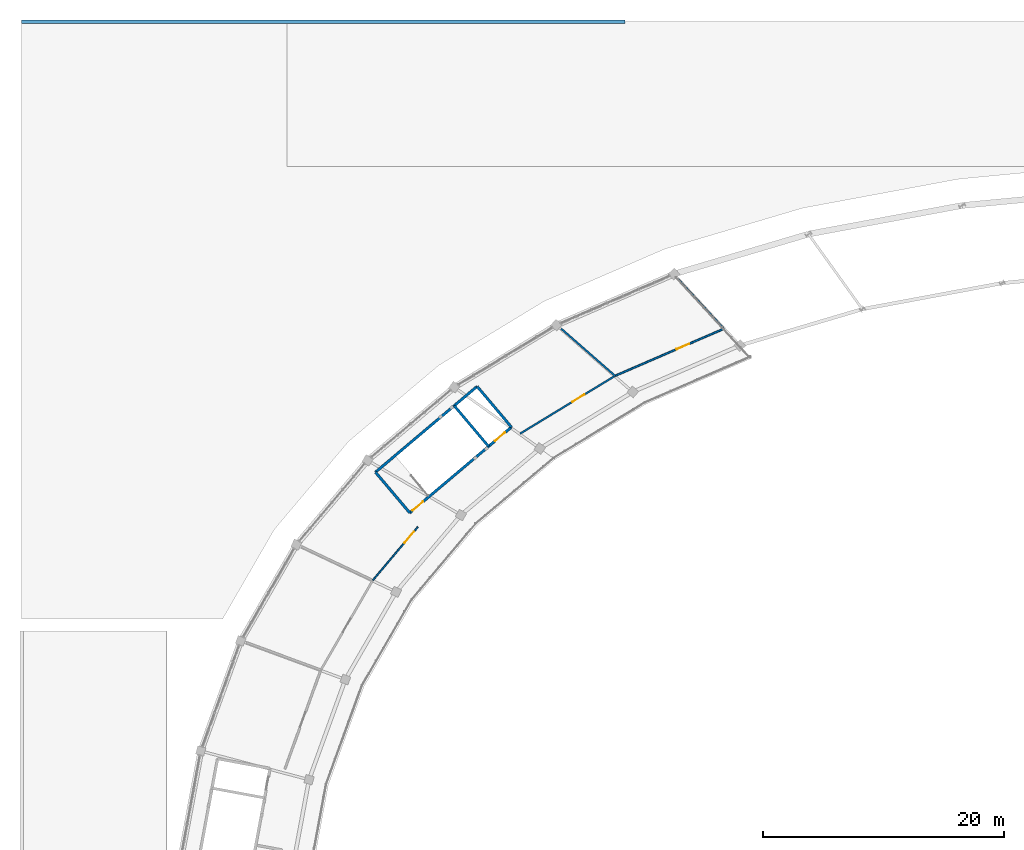
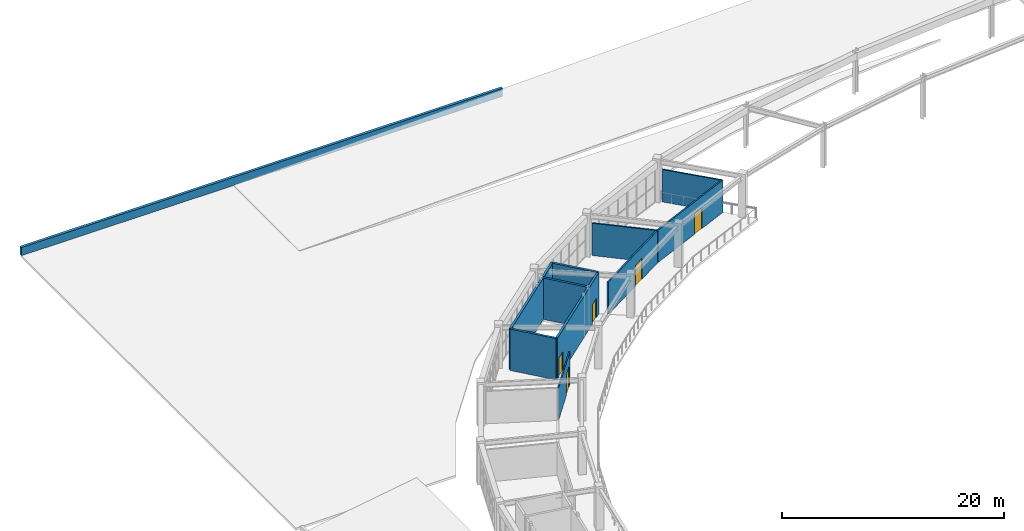
# One storey, part 40 of 45: 11 walls, 5 doors, 5 openings.
"""IFC4 building model written with IfcOpenShell, lengths in metres."""

from ifc_helpers import new_model, si_unit, direction, frame, frame_2d, origin, place, context, subcontext, project, spatial, rectangle, extrude, material, layer, layer_set, type_object, element, fill, save


model = new_model("IFC4")

# Units and contexts
model_context = context("Model", 3, precision=1e-05, world=origin(), true_north=direction((0.0, 1.0)))
body_context = subcontext(model_context, "Body", "Model", "MODEL_VIEW")
ifc_project = project(units=[si_unit("LENGTHUNIT", "METRE"), si_unit("AREAUNIT", "SQUARE_METRE"), si_unit("VOLUMEUNIT", "CUBIC_METRE"), si_unit("PLANEANGLEUNIT", "RADIAN"), si_unit("MASSUNIT", "GRAM", prefix="KILO")], contexts=[model_context])

# Site, building, storey
site_placement = place(None, origin())
site = spatial("IfcSite", under=ifc_project, at=site_placement, CompositionType="ELEMENT")
building_placement = place(site_placement, origin())
building = spatial("IfcBuilding", under=site, at=building_placement, Name="Mphavela Belvedere Stadium", CompositionType="ELEMENT")
storey_placement = place(building_placement, frame((0.0, 0.0, 24.0)))
storey = spatial("IfcBuildingStorey", under=building, at=storey_placement, Name="L05", CompositionType="ELEMENT", Elevation=24.0)

# Walls
ifc_material_1 = material(Name="Concrete C40/50", Category="concrete")
ifc_layer_1 = layer(ifc_material_1, 0.219970703125)
ifc_layer_set_1 = layer_set([ifc_layer_1], Name="Concrete C40/50")
wall_type_1 = type_object("IfcWallType", Name="WAL-CORE-SHEAR-220", PredefinedType="SHEAR", material=ifc_layer_set_1)
wall_1_placement = place(storey_placement, frame((29.318603515625, 136.666015625, 0.0), z_axis=(0.0, 0.0, 1.0), x_axis=(0.764247804305, 0.644922703598, 0.0)))
element("IfcWall", 1, at=wall_1_placement, inside=storey, type_object=wall_type_1, Name="Core C05 shear wall L05 rear", PredefinedType="SHEAR", context=body_context, shape_type="SweptSolid", body=[
    extrude(rectangle(XDim=11.019775390625, YDim=0.219970703125, at=frame_2d((5.509765625, 0.0))), origin(), (0.0, 0.0, 1.0), 4.550048828125),
])
wall_2_placement = place(storey_placement, frame((32.16259765625, 133.295654296875, 0.0), z_axis=(0.0, 0.0, 1.0), x_axis=(-0.644904288042, 0.764263344185, 0.0)))
element("IfcWall", 2, at=wall_2_placement, inside=storey, type_object=wall_type_1, Name="Core C05 shear wall L05 left", PredefinedType="SHEAR", context=body_context, shape_type="SweptSolid", body=[
    extrude(rectangle(XDim=4.409912109375, YDim=0.219970703125, at=frame_2d((2.205078125, 0.0))), origin(), (0.0, 0.0, 1.0), 4.550048828125),
])
wall_3_placement = place(storey_placement, frame((40.584716796875, 140.402587890625, 0.0), z_axis=(0.0, 0.0, 1.0), x_axis=(-0.644936622785, 0.764236058159, 0.0)))
element("IfcWall", 3, at=wall_3_placement, inside=storey, type_object=wall_type_1, Name="Core C05 shear wall L05 right", PredefinedType="SHEAR", context=body_context, shape_type="SweptSolid", body=[
    extrude(rectangle(XDim=4.41015625, YDim=0.219970703125, at=frame_2d((2.205078125, 0.0))), origin(), (0.0, 0.0, 1.0), 4.550048828125),
])

# Wall, openings, doors
wall_4_placement = place(storey_placement, frame((32.16259765625, 133.295654296875, 0.0), z_axis=(0.0, 0.0, 1.0), x_axis=(0.764257018762, 0.644911784102, 0.0)))
wall_4 = element("IfcWall", 4, at=wall_4_placement, inside=storey, type_object=wall_type_1, Name="Core C05 shear wall L05 front", PredefinedType="SHEAR", context=body_context, shape_type="SweptSolid", body=[
    extrude(rectangle(XDim=11.02001953125, YDim=0.219970703125, at=frame_2d((5.510009765625, 0.0))), origin(), (0.0, 0.0, 1.0), 4.550048828125),
])
opening_1_placement = place(wall_4_placement, frame((0.300048828125, 0.0, 0.0)))
opening_1 = element("IfcOpeningElement", 5, at=opening_1_placement, cuts=wall_4, Name="Opening SD-026", PredefinedType="OPENING", context=body_context, shape_type="SweptSolid", body=[
    extrude(rectangle(XDim=1.14990234375, YDim=2.14990234375, at=frame_2d((0.574951171875, 1.074951171875))), frame((0.0, 0.1201171875, 0.0), z_axis=(0.0, -1.0, 0.0), x_axis=(1.0, 0.0, 0.0)), (0.0, 0.0, 1.0), 0.239990234375),
])
opening_2_placement = place(wall_4_placement, frame((9.22998046875, 0.0, 0.0)))
opening_2 = element("IfcOpeningElement", 6, at=opening_2_placement, cuts=wall_4, Name="Opening LD-026", PredefinedType="OPENING", context=body_context, shape_type="SweptSolid", body=[
    extrude(rectangle(XDim=1.10009765625, YDim=2.14990234375, at=frame_2d((0.550048828125, 1.074951171875))), frame((0.0, 0.1201171875, 0.0), z_axis=(0.0, -1.0, 0.0), x_axis=(1.0, 0.0, 0.0)), (0.0, 0.0, 1.0), 0.239990234375),
])
ifc_material_2 = material(Name="Stainless steel center-parting lift landing door", Category="steel")
door_type_1 = type_object("IfcDoorType", Name="DR-LIFT-SLIDE-1100", OperationType="NOTDEFINED", PredefinedType="DOOR", material=ifc_material_2)
door_1_placement = place(opening_2_placement, origin())
door_1 = element("IfcDoor", 7, at=door_1_placement, inside=storey, type_object=door_type_1, Name="Lift landing sliding door PL02 L05", OperationType="DOUBLE_DOOR_SLIDING", OverallHeight=2.14990234375, OverallWidth=1.10009765625, PredefinedType="DOOR", context=body_context, shape_type="SweptSolid", body=[
    extrude(rectangle(XDim=1.10009765625, YDim=2.14990234375, at=frame_2d((0.550048828125, 1.074951171875))), frame((0.0, 0.02490234375, 0.0), z_axis=(0.0, -1.0, 0.0), x_axis=(1.0, 0.0, 0.0)), (0.0, 0.0, 1.0), 0.050048828125),
])
fill(opening_2, door_1)
ifc_material_3 = material(Name="Steel acoustic fire-resisting stair doorset", Category="steel")
door_type_2 = type_object("IfcDoorType", Name="DR-STAIR-FIRE-1150", OperationType="NOTDEFINED", PredefinedType="DOOR", material=ifc_material_3)
door_2_placement = place(opening_1_placement, origin())
door_2 = element("IfcDoor", 8, at=door_2_placement, inside=storey, type_object=door_type_2, Name="Escape stair fire door C05 L05", OperationType="SINGLE_SWING_RIGHT", OverallHeight=2.14990234375, OverallWidth=1.14990234375, PredefinedType="DOOR", context=body_context, shape_type="SweptSolid", body=[
    extrude(rectangle(XDim=1.14990234375, YDim=2.14990234375, at=frame_2d((0.574951171875, 1.074951171875))), frame((0.0, 0.02490234375, 0.0), z_axis=(0.0, -1.0, 0.0), x_axis=(1.0, 0.0, 0.0)), (0.0, 0.0, 1.0), 0.050048828125),
])
fill(opening_1, door_2)

# Walls
wall_5_placement = place(storey_placement, frame((38.689208984375, 138.80322265625, 0.0), z_axis=(0.0, 0.0, 1.0), x_axis=(-0.644904288042, 0.764263344185, 0.0)))
element("IfcWall", 9, at=wall_5_placement, inside=storey, type_object=wall_type_1, Name="Core C05 shear wall L05 div", PredefinedType="SHEAR", context=body_context, shape_type="SweptSolid", body=[
    extrude(rectangle(XDim=4.409912109375, YDim=0.219970703125, at=frame_2d((2.205078125, 0.0))), origin(), (0.0, 0.0, 1.0), 4.550048828125),
])
ifc_material_4 = material(Name="Honed ashlar limestone coping wall", Category="masonry")
ifc_layer_2 = layer(ifc_material_4, 0.280029296875)
ifc_layer_set_2 = layer_set([ifc_layer_2], Name="Honed ashlar limestone coping wall")
wall_type_2 = type_object("IfcWallType", Name="WAL-PARAPET-280", PredefinedType="PARAPET", material=ifc_layer_set_2)
wall_6_placement = place(storey_placement, frame((0.0, 174.0, 0.239990234375), z_axis=(0.0, 0.0, 1.0), x_axis=(1.0, 0.0, 0.0)))
element("IfcWall", 10, at=wall_6_placement, inside=storey, type_object=wall_type_2, Name="North Mast and Ceremonial End Forecourt classical eaves parapet A", PredefinedType="PARAPET", context=body_context, shape_type="SweptSolid", body=[
    extrude(rectangle(XDim=50.0, YDim=0.280029296875, at=frame_2d((25.0, 0.0))), origin(), (0.0, 0.0, 1.0), 0.89990234375),
])

# Wall, opening, door
ifc_material_5 = material(Name="Moisture-resistant sanitary partition assembly")
ifc_layer_3 = layer(ifc_material_5, 0.125)
ifc_layer_set_3 = layer_set([ifc_layer_3], Name="Moisture-resistant sanitary partition assembly")
wall_type_3 = type_object("IfcWallType", Name="WAL-PART-125", PredefinedType="PARTITIONING", material=ifc_layer_set_3)
wall_7_placement = place(storey_placement, frame((32.83447265625, 132.127197265625, 0.0), z_axis=(0.0, 0.0, 1.0), x_axis=(-0.645164953642, -0.764043311987, 0.0)))
wall_7 = element("IfcWall", 11, at=wall_7_placement, inside=storey, type_object=wall_type_3, Name="Room L05-20 corridor partition", PredefinedType="PARTITIONING", context=body_context, shape_type="SweptSolid", body=[
    extrude(rectangle(XDim=5.789306640625, YDim=0.125, at=frame_2d((2.89453125, 0.0))), origin(), (0.0, 0.0, 1.0), 3.550048828125),
])
opening_3_placement = place(wall_7_placement, frame((0.5166015625, 0.0, 0.0)))
opening_3 = element("IfcOpeningElement", 12, at=opening_3_placement, cuts=wall_7, Name="Opening ID-357", PredefinedType="OPENING", context=body_context, shape_type="SweptSolid", body=[
    extrude(rectangle(XDim=1.219970703125, YDim=2.300048828125, at=frame_2d((0.60986328125, 1.14990234375))), frame((0.0, 0.072509765625, 0.0), z_axis=(0.0, -1.0, 0.0), x_axis=(1.0, 0.0, 0.0)), (0.0, 0.0, 1.0), 0.14501953125),
])
ifc_material_6 = material(Name="Hardwood acoustic timber doorset", Category="wood")
door_type_3 = type_object("IfcDoorType", Name="DR-INT-33", OperationType="NOTDEFINED", PredefinedType="DOOR", material=ifc_material_6)
door_3_placement = place(opening_3_placement, origin())
door_3 = element("IfcDoor", 13, at=door_3_placement, inside=storey, type_object=door_type_3, Name="Room L05-20 entrance door ID-357", OperationType="SINGLE_SWING_LEFT", OverallHeight=2.300048828125, OverallWidth=1.219970703125, PredefinedType="DOOR", context=body_context, shape_type="SweptSolid", body=[
    extrude(rectangle(XDim=1.219970703125, YDim=2.300048828125, at=frame_2d((0.60986328125, 1.14990234375))), frame((0.0, 0.02490234375, 0.0), z_axis=(0.0, -1.0, 0.0), x_axis=(1.0, 0.0, 0.0)), (0.0, 0.0, 1.0), 0.050048828125),
])
fill(opening_3, door_3)

ifc_material_7 = material(Name="Acoustic gypsum stud partition assembly")
ifc_layer_4 = layer(ifc_material_7, 0.14990234375)
ifc_layer_set_4 = layer_set([ifc_layer_4], Name="Acoustic gypsum stud partition assembly")
wall_type_4 = type_object("IfcWallType", Name="WAL-PART-150", PredefinedType="PARTITIONING", material=ifc_layer_set_4)
wall_8_placement = place(storey_placement, frame((58.19140625, 148.553955078125, 0.0), z_axis=(0.0, 0.0, 1.0), x_axis=(-0.917503021027, -0.397728810128, 0.0)))
wall_8 = element("IfcWall", 14, at=wall_8_placement, inside=storey, type_object=wall_type_4, Name="Room L05-16 corridor partition", PredefinedType="PARTITIONING", context=body_context, shape_type="SweptSolid", body=[
    extrude(rectangle(XDim=9.822021484375, YDim=0.14990234375, at=frame_2d((4.9111328125, 0.0))), origin(), (0.0, 0.0, 1.0), 3.550048828125),
])
opening_4_placement = place(wall_8_placement, frame((3.134765625, 0.0, 0.0)))
opening_4 = element("IfcOpeningElement", 15, at=opening_4_placement, cuts=wall_8, Name="Opening ID-355", PredefinedType="OPENING", context=body_context, shape_type="SweptSolid", body=[
    extrude(rectangle(XDim=1.139892578125, YDim=2.300048828125, at=frame_2d((0.56982421875, 1.14990234375))), frame((0.0, 0.0849609375, 0.0), z_axis=(0.0, -1.0, 0.0), x_axis=(1.0, 0.0, 0.0)), (0.0, 0.0, 1.0), 0.169921875),
])
ifc_material_8 = material(Name="Hardwood acoustic timber doorset", Category="wood")
door_type_4 = type_object("IfcDoorType", Name="DR-INT-31", OperationType="NOTDEFINED", PredefinedType="DOOR", material=ifc_material_8)
door_4_placement = place(opening_4_placement, origin())
door_4 = element("IfcDoor", 16, at=door_4_placement, inside=storey, type_object=door_type_4, Name="Room L05-16 entrance door ID-355", OperationType="SINGLE_SWING_LEFT", OverallHeight=2.300048828125, OverallWidth=1.139892578125, PredefinedType="DOOR", context=body_context, shape_type="SweptSolid", body=[
    extrude(rectangle(XDim=1.139892578125, YDim=2.300048828125, at=frame_2d((0.56982421875, 1.14990234375))), frame((0.0, 0.02490234375, 0.0), z_axis=(0.0, -1.0, 0.0), x_axis=(1.0, 0.0, 0.0)), (0.0, 0.0, 1.0), 0.050048828125),
])
fill(opening_4, door_4)

wall_9_placement = place(storey_placement, frame((49.10498046875, 144.6064453125, 0.0), z_axis=(0.0, 0.0, 1.0), x_axis=(-0.854322857841, -0.519742681113, 0.0)))
wall_9 = element("IfcWall", 17, at=wall_9_placement, inside=storey, type_object=wall_type_4, Name="Room L05-18 corridor partition", PredefinedType="PARTITIONING", context=body_context, shape_type="SweptSolid", body=[
    extrude(rectangle(XDim=9.138671875, YDim=0.14990234375, at=frame_2d((4.5693359375, 0.0))), origin(), (0.0, 0.0, 1.0), 3.550048828125),
])
opening_5_placement = place(wall_9_placement, frame((2.881591796875, 0.0, 0.0)))
opening_5 = element("IfcOpeningElement", 18, at=opening_5_placement, cuts=wall_9, Name="Opening ID-356", PredefinedType="OPENING", context=body_context, shape_type="SweptSolid", body=[
    extrude(rectangle(XDim=1.179931640625, YDim=2.300048828125, at=frame_2d((0.58984375, 1.14990234375))), frame((0.0, 0.0849609375, 0.0), z_axis=(0.0, -1.0, 0.0), x_axis=(1.0, 0.0, 0.0)), (0.0, 0.0, 1.0), 0.169921875),
])
ifc_material_9 = material(Name="Hardwood acoustic timber doorset", Category="wood")
door_type_5 = type_object("IfcDoorType", Name="DR-INT-32", OperationType="NOTDEFINED", PredefinedType="DOOR", material=ifc_material_9)
door_5_placement = place(opening_5_placement, origin())
door_5 = element("IfcDoor", 19, at=door_5_placement, inside=storey, type_object=door_type_5, Name="Room L05-18 entrance door ID-356", OperationType="SINGLE_SWING_RIGHT", OverallHeight=2.300048828125, OverallWidth=1.179931640625, PredefinedType="DOOR", context=body_context, shape_type="SweptSolid", body=[
    extrude(rectangle(XDim=1.179931640625, YDim=2.300048828125, at=frame_2d((0.58984375, 1.14990234375))), frame((0.0, 0.02490234375, 0.0), z_axis=(0.0, -1.0, 0.0), x_axis=(1.0, 0.0, 0.0)), (0.0, 0.0, 1.0), 0.050048828125),
])
fill(opening_5, door_5)

# Walls
wall_10_placement = place(storey_placement, frame((54.371826171875, 152.696533203125, 0.0), z_axis=(0.0, 0.0, 1.0), x_axis=(0.677864295951, -0.735187048495, 0.0)))
element("IfcWall", 20, at=wall_10_placement, inside=storey, type_object=wall_type_4, Name="Room divider partition L05-0634", PredefinedType="PARTITIONING", context=body_context, shape_type="SweptSolid", body=[
    extrude(rectangle(XDim=5.634765625, YDim=0.14990234375, at=frame_2d((2.8173828125, 0.0))), origin(), (0.0, 0.0, 1.0), 3.550048828125),
])
wall_11_placement = place(storey_placement, frame((49.1796875, 144.6474609375, 0.0), z_axis=(0.0, 0.0, 1.0), x_axis=(-0.752569061738, 0.65851333116, 0.0)))
element("IfcWall", 21, at=wall_11_placement, inside=storey, type_object=wall_type_4, Name="Room divider partition L05-0635", PredefinedType="PARTITIONING", context=body_context, shape_type="SweptSolid", body=[
    extrude(rectangle(XDim=5.944091796875, YDim=0.14990234375, at=frame_2d((2.97216796875, 0.0))), origin(), (0.0, 0.0, 1.0), 3.550048828125),
])

save(model, "model.ifc")
